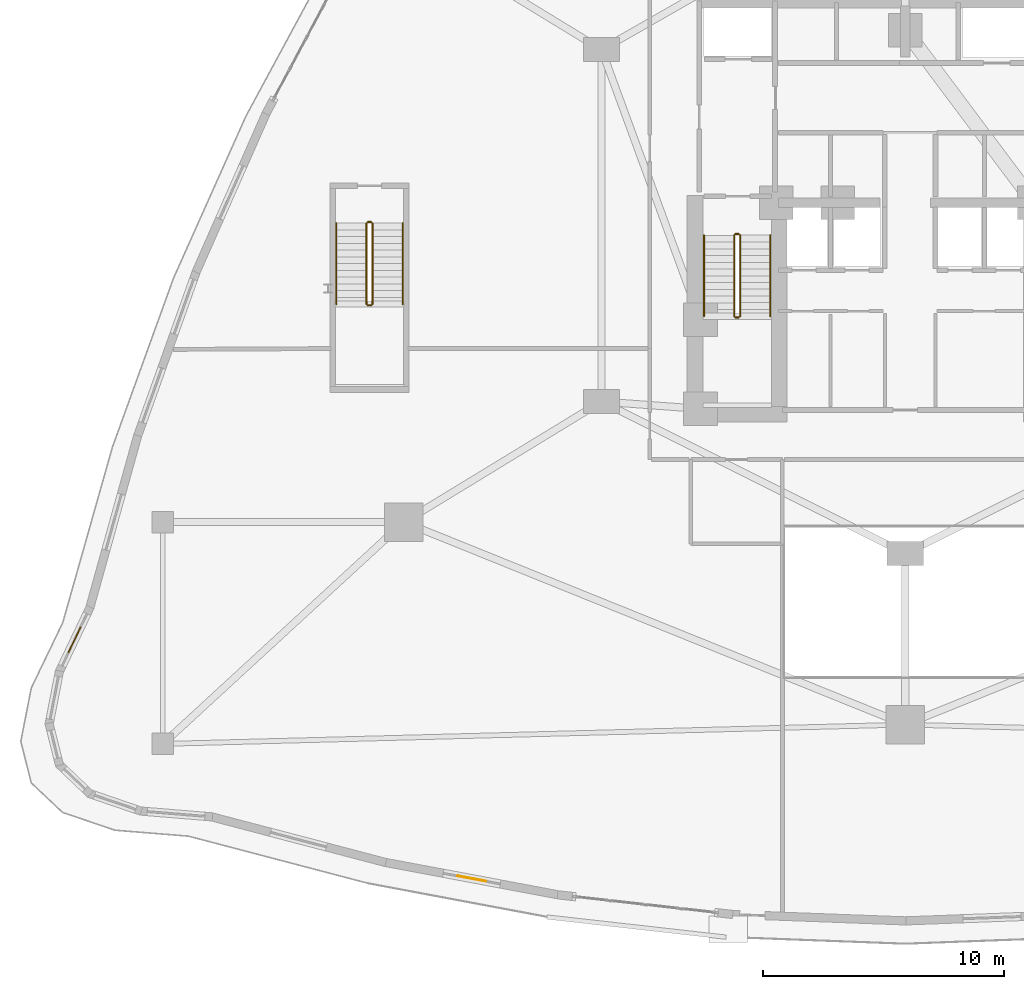
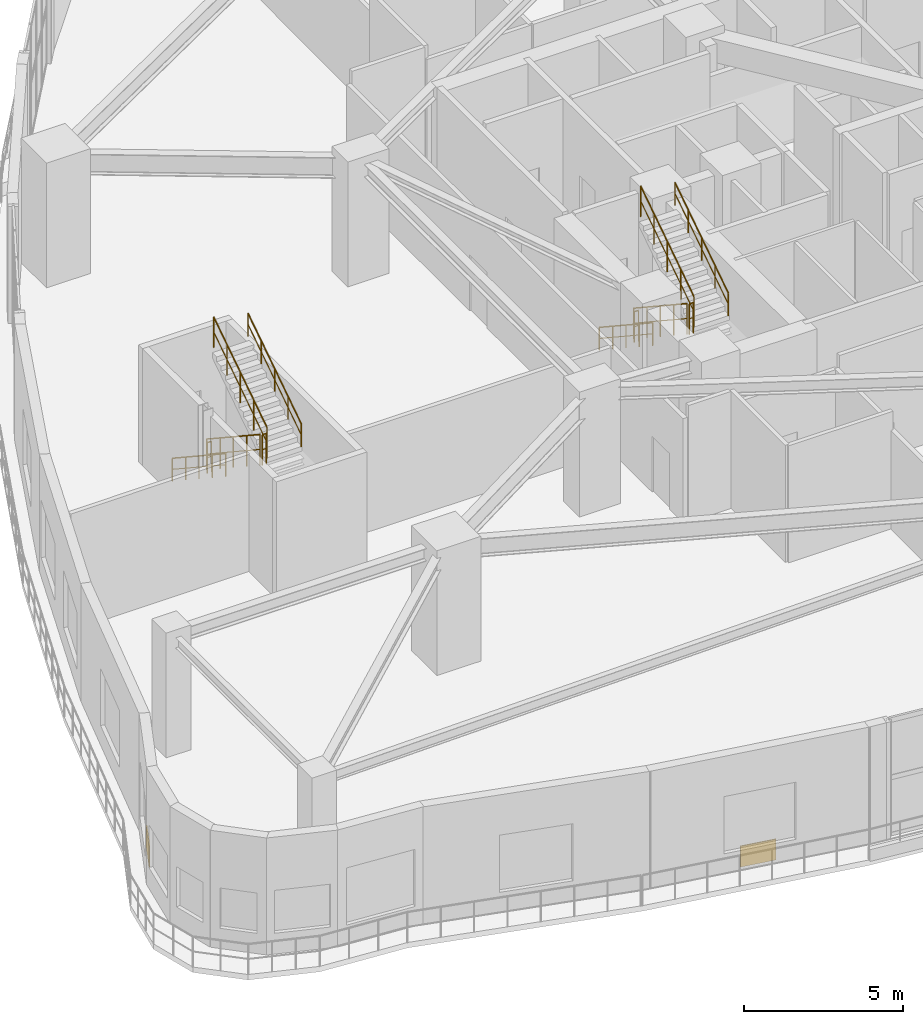
# One storey, part 20 of 25: 12 railings, 2 coverings.
"""IFC4 building model written with IfcOpenShell, lengths in metres."""

from ifc_helpers import new_model, si_unit, direction, frame, origin, origin_2d, place, context, subcontext, project, spatial, rectangle, circle, extrude, material, layer, layer_set, type_object, element, save


model = new_model("IFC4")

# Units and contexts
model_context = context("Model", 3, precision=1e-05, world=origin(), true_north=direction((0.0, 1.0)))
body_context = subcontext(model_context, "Body", "Model", "MODEL_VIEW")
ifc_project = project(units=[si_unit("LENGTHUNIT", "METRE"), si_unit("AREAUNIT", "SQUARE_METRE"), si_unit("VOLUMEUNIT", "CUBIC_METRE"), si_unit("PLANEANGLEUNIT", "RADIAN"), si_unit("MASSUNIT", "GRAM", prefix="KILO")], contexts=[model_context])

# Site, building, storey
site_placement = place(None, origin())
site = spatial("IfcSite", under=ifc_project, at=site_placement, CompositionType="ELEMENT")
building_placement = place(site_placement, origin())
building = spatial("IfcBuilding", under=site, at=building_placement, Name="Miruveldt Soraemaru", CompositionType="ELEMENT")
storey_placement = place(building_placement, frame((0.0, 0.0, 4.800048828125)))
storey = spatial("IfcBuildingStorey", under=building, at=storey_placement, Name="L02", CompositionType="ELEMENT", Elevation=4.800048828125)

# Coverings
ifc_material_1 = material(Name="Precast concrete C45/55 (45 MPa)", Category="concrete")
ifc_layer = layer(ifc_material_1, 0.0400390625, Name="Precast concrete C45/55 (45 MPa)", Category="concrete")
ifc_layer_set = layer_set([ifc_layer], Name="Precast concrete C45/55 (45 MPa)")
covering_type = type_object("IfcCoveringType", Name="COV-CLAD-GRAN", PredefinedType="CLADDING", material=ifc_layer_set)
covering_1_placement = place(storey_placement, frame((9.53857421875, 25.918212890625, 0.0), z_axis=(0.0, 0.0, 1.0), x_axis=(-0.430637117291, -0.902525164863, 0.0)))
element("IfcCovering", 1, at=covering_1_placement, inside=storey, type_object=covering_type, Name="L02 Reconstituted Granite Base Cladding 15", PredefinedType="CLADDING", context=body_context, shape_type="SweptSolid", body=[
    extrude(rectangle(XDim=1.174072265625, YDim=0.0400390625, at=origin_2d()), origin(), (0.0, 0.0, 1.0), 0.800048828125),
])
covering_2_placement = place(storey_placement, frame((26.015869140625, 16.01171875, 0.0), z_axis=(0.0, 0.0, 1.0), x_axis=(0.982871078132, -0.184294448562, 0.0)))
element("IfcCovering", 2, at=covering_2_placement, inside=storey, type_object=covering_type, Name="L02 Reconstituted Granite Base Cladding 22", PredefinedType="CLADDING", context=body_context, shape_type="SweptSolid", body=[
    extrude(rectangle(XDim=1.199951171875, YDim=0.0400390625, at=origin_2d()), origin(), (0.0, 0.0, 1.0), 0.800048828125),
])

# Railings
ifc_material_2 = material(Name="Steel S355 (355 MPa)", Category="steel")
railing_type_1 = type_object("IfcRailingType", Name="RAIL-HR-900", PredefinedType="HANDRAIL", material=ifc_material_2)
railing_1_placement = place(storey_placement, frame((35.64990234375, 42.699951171875, 0.1845703125)))
element("IfcRailing", 3, at=railing_1_placement, inside=storey, type_object=railing_type_1, Name="L02 ST-1 stair handrail 1", PredefinedType="HANDRAIL", context=body_context, shape_type="SweptSolid", body=[
    extrude(circle(Radius=0.02392578125, at=origin_2d()), frame((0.0, 0.0, 0.8759765625), z_axis=(0.0, -0.834858096282, 0.550465220583), x_axis=(1.0, 0.0, 0.0)), (0.0, 0.0, 1.0), 4.0244140625),
    extrude(circle(Radius=0.01611328125, at=origin_2d()), frame((0.0, 0.0, 0.449951171875), z_axis=(0.0, -0.834858096282, 0.550465220583), x_axis=(1.0, 0.0, 0.0)), (0.0, 0.0, 1.0), 4.0244140625),
    extrude(circle(Radius=0.02099609375, at=origin_2d()), origin(), (0.0, 0.0, 1.0), 0.851806640625),
    extrude(circle(Radius=0.02099609375, at=origin_2d()), frame((0.0, -0.83984375, 0.5537109375)), (0.0, 0.0, 1.0), 0.851806640625),
    extrude(circle(Radius=0.02099609375, at=origin_2d()), frame((0.0, -1.679931640625, 1.107666015625)), (0.0, 0.0, 1.0), 0.851806640625),
    extrude(circle(Radius=0.02099609375, at=origin_2d()), frame((0.0, -2.52001953125, 1.66162109375)), (0.0, 0.0, 1.0), 0.851806640625),
    extrude(circle(Radius=0.02099609375, at=origin_2d()), frame((0.0, -3.35986328125, 2.21533203125)), (0.0, 0.0, 1.0), 0.851806640625),
])
railing_2_placement = place(storey_placement, frame((38.39990234375, 39.340087890625, 2.58447265625)))
element("IfcRailing", 4, at=railing_2_placement, inside=storey, type_object=railing_type_1, Name="L02 ST-1 stair handrail 2", PredefinedType="HANDRAIL", context=body_context, shape_type="SweptSolid", body=[
    extrude(circle(Radius=0.02392578125, at=origin_2d()), frame((0.0, 0.0, 0.8759765625), z_axis=(0.0, 0.83483021737, 0.550507500554), x_axis=(-1.0, 0.0, 0.0)), (0.0, 0.0, 1.0), 4.024658203125),
    extrude(circle(Radius=0.01611328125, at=origin_2d()), frame((0.0, 0.0, 0.449951171875), z_axis=(0.0, 0.83483021737, 0.550507500554), x_axis=(-1.0, 0.0, 0.0)), (0.0, 0.0, 1.0), 4.024658203125),
    extrude(circle(Radius=0.02099609375, at=origin_2d()), origin(), (0.0, 0.0, 1.0), 0.851806640625),
    extrude(circle(Radius=0.02099609375, at=origin_2d()), frame((0.0, 0.83984375, 0.553955078125)), (0.0, 0.0, 1.0), 0.851806640625),
    extrude(circle(Radius=0.02099609375, at=origin_2d()), frame((0.0, 1.679931640625, 1.10791015625)), (0.0, 0.0, 1.0), 0.851806640625),
    extrude(circle(Radius=0.02099609375, at=origin_2d()), frame((0.0, 2.52001953125, 1.66162109375)), (0.0, 0.0, 1.0), 0.851806640625),
    extrude(circle(Radius=0.02099609375, at=origin_2d()), frame((0.0, 3.35986328125, 2.215576171875)), (0.0, 0.0, 1.0), 0.851806640625),
])
railing_3_placement = place(storey_placement, frame((20.39990234375, 43.199951171875, 0.1845703125)))
element("IfcRailing", 5, at=railing_3_placement, inside=storey, type_object=railing_type_1, Name="L02 ST-3 stair handrail 1", PredefinedType="HANDRAIL", context=body_context, shape_type="SweptSolid", body=[
    extrude(circle(Radius=0.02392578125, at=origin_2d()), frame((0.0, 0.0, 0.8759765625), z_axis=(0.0, -0.834858096282, 0.550465220583), x_axis=(1.0, 0.0, 0.0)), (0.0, 0.0, 1.0), 4.0244140625),
    extrude(circle(Radius=0.01611328125, at=origin_2d()), frame((0.0, 0.0, 0.449951171875), z_axis=(0.0, -0.834858096282, 0.550465220583), x_axis=(1.0, 0.0, 0.0)), (0.0, 0.0, 1.0), 4.0244140625),
    extrude(circle(Radius=0.02099609375, at=origin_2d()), origin(), (0.0, 0.0, 1.0), 0.851806640625),
    extrude(circle(Radius=0.02099609375, at=origin_2d()), frame((0.0, -0.83984375, 0.5537109375)), (0.0, 0.0, 1.0), 0.851806640625),
    extrude(circle(Radius=0.02099609375, at=origin_2d()), frame((0.0, -1.679931640625, 1.107666015625)), (0.0, 0.0, 1.0), 0.851806640625),
    extrude(circle(Radius=0.02099609375, at=origin_2d()), frame((0.0, -2.52001953125, 1.66162109375)), (0.0, 0.0, 1.0), 0.851806640625),
    extrude(circle(Radius=0.02099609375, at=origin_2d()), frame((0.0, -3.35986328125, 2.21533203125)), (0.0, 0.0, 1.0), 0.851806640625),
])
railing_4_placement = place(storey_placement, frame((23.14990234375, 39.840087890625, 2.58447265625)))
element("IfcRailing", 6, at=railing_4_placement, inside=storey, type_object=railing_type_1, Name="L02 ST-3 stair handrail 2", PredefinedType="HANDRAIL", context=body_context, shape_type="SweptSolid", body=[
    extrude(circle(Radius=0.02392578125, at=origin_2d()), frame((0.0, 0.0, 0.8759765625), z_axis=(0.0, 0.83483021737, 0.550507500554), x_axis=(-1.0, 0.0, 0.0)), (0.0, 0.0, 1.0), 4.024658203125),
    extrude(circle(Radius=0.01611328125, at=origin_2d()), frame((0.0, 0.0, 0.449951171875), z_axis=(0.0, 0.83483021737, 0.550507500554), x_axis=(-1.0, 0.0, 0.0)), (0.0, 0.0, 1.0), 4.024658203125),
    extrude(circle(Radius=0.02099609375, at=origin_2d()), origin(), (0.0, 0.0, 1.0), 0.851806640625),
    extrude(circle(Radius=0.02099609375, at=origin_2d()), frame((0.0, 0.83984375, 0.553955078125)), (0.0, 0.0, 1.0), 0.851806640625),
    extrude(circle(Radius=0.02099609375, at=origin_2d()), frame((0.0, 1.679931640625, 1.10791015625)), (0.0, 0.0, 1.0), 0.851806640625),
    extrude(circle(Radius=0.02099609375, at=origin_2d()), frame((0.0, 2.52001953125, 1.66162109375)), (0.0, 0.0, 1.0), 0.851806640625),
    extrude(circle(Radius=0.02099609375, at=origin_2d()), frame((0.0, 3.35986328125, 2.215576171875)), (0.0, 0.0, 1.0), 0.851806640625),
])
railing_type_2 = type_object("IfcRailingType", Name="RAIL-STGUARD-1200", PredefinedType="GUARDRAIL", material=ifc_material_2)
railing_5_placement = place(storey_placement, frame((36.89990234375, 42.699951171875, 0.1845703125)))
element("IfcRailing", 7, at=railing_5_placement, inside=storey, type_object=railing_type_2, Name="L02 ST-1 stair guard 1", PredefinedType="GUARDRAIL", context=body_context, shape_type="SweptSolid", body=[
    extrude(circle(Radius=0.02392578125, at=origin_2d()), frame((0.0, 0.0, 1.17578125), z_axis=(0.0, -0.834858096282, 0.550465220583), x_axis=(1.0, 0.0, 0.0)), (0.0, 0.0, 1.0), 4.0244140625),
    extrude(circle(Radius=0.01611328125, at=origin_2d()), frame((0.0, 0.0, 0.60009765625), z_axis=(0.0, -0.834858096282, 0.550465220583), x_axis=(1.0, 0.0, 0.0)), (0.0, 0.0, 1.0), 4.0244140625),
    extrude(circle(Radius=0.02099609375, at=origin_2d()), origin(), (0.0, 0.0, 1.0), 1.15185546875),
    extrude(circle(Radius=0.02099609375, at=origin_2d()), frame((0.0, -0.83984375, 0.5537109375)), (0.0, 0.0, 1.0), 1.15185546875),
    extrude(circle(Radius=0.02099609375, at=origin_2d()), frame((0.0, -1.679931640625, 1.107666015625)), (0.0, 0.0, 1.0), 1.15185546875),
    extrude(circle(Radius=0.02099609375, at=origin_2d()), frame((0.0, -2.52001953125, 1.66162109375)), (0.0, 0.0, 1.0), 1.15185546875),
    extrude(circle(Radius=0.02099609375, at=origin_2d()), frame((0.0, -3.35986328125, 2.21533203125)), (0.0, 0.0, 1.0), 1.15185546875),
])
railing_6_placement = place(storey_placement, frame((36.949951171875, 39.2900390625, 2.39990234375)))
element("IfcRailing", 8, at=railing_6_placement, inside=storey, type_object=railing_type_2, Name="L02 ST-1 stair guard 2", PredefinedType="GUARDRAIL", context=body_context, shape_type="SweptSolid", body=[
    extrude(circle(Radius=0.02392578125, at=origin_2d()), frame((0.0, 0.0, 1.17578125), z_axis=(1.0, 0.0, 0.0), x_axis=(0.0, 1.0, 0.0)), (0.0, 0.0, 1.0), 0.150146484375),
    extrude(circle(Radius=0.01611328125, at=origin_2d()), frame((0.0, 0.0, 0.60009765625), z_axis=(1.0, 0.0, 0.0), x_axis=(0.0, 1.0, 0.0)), (0.0, 0.0, 1.0), 0.150146484375),
    extrude(circle(Radius=0.02099609375, at=origin_2d()), origin(), (0.0, 0.0, 1.0), 1.15185546875),
    extrude(circle(Radius=0.02099609375, at=origin_2d()), frame((0.150146484375, 0.0, 0.0)), (0.0, 0.0, 1.0), 1.15185546875),
])
railing_7_placement = place(storey_placement, frame((37.14990234375, 39.340087890625, 2.58447265625)))
element("IfcRailing", 9, at=railing_7_placement, inside=storey, type_object=railing_type_2, Name="L02 ST-1 stair guard 3", PredefinedType="GUARDRAIL", context=body_context, shape_type="SweptSolid", body=[
    extrude(circle(Radius=0.02392578125, at=origin_2d()), frame((0.0, 0.0, 1.17578125), z_axis=(0.0, 0.83483021737, 0.550507500554), x_axis=(-1.0, 0.0, 0.0)), (0.0, 0.0, 1.0), 4.024658203125),
    extrude(circle(Radius=0.01611328125, at=origin_2d()), frame((0.0, 0.0, 0.60009765625), z_axis=(0.0, 0.83483021737, 0.550507500554), x_axis=(-1.0, 0.0, 0.0)), (0.0, 0.0, 1.0), 4.024658203125),
    extrude(circle(Radius=0.02099609375, at=origin_2d()), origin(), (0.0, 0.0, 1.0), 1.15185546875),
    extrude(circle(Radius=0.02099609375, at=origin_2d()), frame((0.0, 0.83984375, 0.553955078125)), (0.0, 0.0, 1.0), 1.15185546875),
    extrude(circle(Radius=0.02099609375, at=origin_2d()), frame((0.0, 1.679931640625, 1.10791015625)), (0.0, 0.0, 1.0), 1.15185546875),
    extrude(circle(Radius=0.02099609375, at=origin_2d()), frame((0.0, 2.52001953125, 1.66162109375)), (0.0, 0.0, 1.0), 1.15185546875),
    extrude(circle(Radius=0.02099609375, at=origin_2d()), frame((0.0, 3.35986328125, 2.215576171875)), (0.0, 0.0, 1.0), 1.15185546875),
])
railing_8_placement = place(storey_placement, frame((36.949951171875, 42.75, 0.0)))
element("IfcRailing", 10, at=railing_8_placement, inside=storey, type_object=railing_type_2, Name="L02 ST-1 stair guard 4", PredefinedType="GUARDRAIL", context=body_context, shape_type="SweptSolid", body=[
    extrude(circle(Radius=0.02392578125, at=origin_2d()), frame((0.0, 0.0, 1.17578125), z_axis=(1.0, 0.0, 0.0), x_axis=(0.0, 1.0, 0.0)), (0.0, 0.0, 1.0), 0.150146484375),
    extrude(circle(Radius=0.01611328125, at=origin_2d()), frame((0.0, 0.0, 0.60009765625), z_axis=(1.0, 0.0, 0.0), x_axis=(0.0, 1.0, 0.0)), (0.0, 0.0, 1.0), 0.150146484375),
    extrude(circle(Radius=0.02099609375, at=origin_2d()), origin(), (0.0, 0.0, 1.0), 1.15185546875),
    extrude(circle(Radius=0.02099609375, at=origin_2d()), frame((0.150146484375, 0.0, 0.0)), (0.0, 0.0, 1.0), 1.15185546875),
])
railing_9_placement = place(storey_placement, frame((21.64990234375, 43.199951171875, 0.1845703125)))
element("IfcRailing", 11, at=railing_9_placement, inside=storey, type_object=railing_type_2, Name="L02 ST-3 stair guard 1", PredefinedType="GUARDRAIL", context=body_context, shape_type="SweptSolid", body=[
    extrude(circle(Radius=0.02392578125, at=origin_2d()), frame((0.0, 0.0, 1.17578125), z_axis=(0.0, -0.834858096282, 0.550465220583), x_axis=(1.0, 0.0, 0.0)), (0.0, 0.0, 1.0), 4.0244140625),
    extrude(circle(Radius=0.01611328125, at=origin_2d()), frame((0.0, 0.0, 0.60009765625), z_axis=(0.0, -0.834858096282, 0.550465220583), x_axis=(1.0, 0.0, 0.0)), (0.0, 0.0, 1.0), 4.0244140625),
    extrude(circle(Radius=0.02099609375, at=origin_2d()), origin(), (0.0, 0.0, 1.0), 1.15185546875),
    extrude(circle(Radius=0.02099609375, at=origin_2d()), frame((0.0, -0.83984375, 0.5537109375)), (0.0, 0.0, 1.0), 1.15185546875),
    extrude(circle(Radius=0.02099609375, at=origin_2d()), frame((0.0, -1.679931640625, 1.107666015625)), (0.0, 0.0, 1.0), 1.15185546875),
    extrude(circle(Radius=0.02099609375, at=origin_2d()), frame((0.0, -2.52001953125, 1.66162109375)), (0.0, 0.0, 1.0), 1.15185546875),
    extrude(circle(Radius=0.02099609375, at=origin_2d()), frame((0.0, -3.35986328125, 2.21533203125)), (0.0, 0.0, 1.0), 1.15185546875),
])
railing_10_placement = place(storey_placement, frame((21.699951171875, 39.7900390625, 2.39990234375)))
element("IfcRailing", 12, at=railing_10_placement, inside=storey, type_object=railing_type_2, Name="L02 ST-3 stair guard 2", PredefinedType="GUARDRAIL", context=body_context, shape_type="SweptSolid", body=[
    extrude(circle(Radius=0.02392578125, at=origin_2d()), frame((0.0, 0.0, 1.17578125), z_axis=(1.0, 0.0, 0.0), x_axis=(0.0, 1.0, 0.0)), (0.0, 0.0, 1.0), 0.150146484375),
    extrude(circle(Radius=0.01611328125, at=origin_2d()), frame((0.0, 0.0, 0.60009765625), z_axis=(1.0, 0.0, 0.0), x_axis=(0.0, 1.0, 0.0)), (0.0, 0.0, 1.0), 0.150146484375),
    extrude(circle(Radius=0.02099609375, at=origin_2d()), origin(), (0.0, 0.0, 1.0), 1.15185546875),
    extrude(circle(Radius=0.02099609375, at=origin_2d()), frame((0.150146484375, 0.0, 0.0)), (0.0, 0.0, 1.0), 1.15185546875),
])
railing_11_placement = place(storey_placement, frame((21.89990234375, 39.840087890625, 2.58447265625)))
element("IfcRailing", 13, at=railing_11_placement, inside=storey, type_object=railing_type_2, Name="L02 ST-3 stair guard 3", PredefinedType="GUARDRAIL", context=body_context, shape_type="SweptSolid", body=[
    extrude(circle(Radius=0.02392578125, at=origin_2d()), frame((0.0, 0.0, 1.17578125), z_axis=(0.0, 0.83483021737, 0.550507500554), x_axis=(-1.0, 0.0, 0.0)), (0.0, 0.0, 1.0), 4.024658203125),
    extrude(circle(Radius=0.01611328125, at=origin_2d()), frame((0.0, 0.0, 0.60009765625), z_axis=(0.0, 0.83483021737, 0.550507500554), x_axis=(-1.0, 0.0, 0.0)), (0.0, 0.0, 1.0), 4.024658203125),
    extrude(circle(Radius=0.02099609375, at=origin_2d()), origin(), (0.0, 0.0, 1.0), 1.15185546875),
    extrude(circle(Radius=0.02099609375, at=origin_2d()), frame((0.0, 0.83984375, 0.553955078125)), (0.0, 0.0, 1.0), 1.15185546875),
    extrude(circle(Radius=0.02099609375, at=origin_2d()), frame((0.0, 1.679931640625, 1.10791015625)), (0.0, 0.0, 1.0), 1.15185546875),
    extrude(circle(Radius=0.02099609375, at=origin_2d()), frame((0.0, 2.52001953125, 1.66162109375)), (0.0, 0.0, 1.0), 1.15185546875),
    extrude(circle(Radius=0.02099609375, at=origin_2d()), frame((0.0, 3.35986328125, 2.215576171875)), (0.0, 0.0, 1.0), 1.15185546875),
])
railing_12_placement = place(storey_placement, frame((21.699951171875, 43.25, 0.0)))
element("IfcRailing", 14, at=railing_12_placement, inside=storey, type_object=railing_type_2, Name="L02 ST-3 stair guard 4", PredefinedType="GUARDRAIL", context=body_context, shape_type="SweptSolid", body=[
    extrude(circle(Radius=0.02392578125, at=origin_2d()), frame((0.0, 0.0, 1.17578125), z_axis=(1.0, 0.0, 0.0), x_axis=(0.0, 1.0, 0.0)), (0.0, 0.0, 1.0), 0.150146484375),
    extrude(circle(Radius=0.01611328125, at=origin_2d()), frame((0.0, 0.0, 0.60009765625), z_axis=(1.0, 0.0, 0.0), x_axis=(0.0, 1.0, 0.0)), (0.0, 0.0, 1.0), 0.150146484375),
    extrude(circle(Radius=0.02099609375, at=origin_2d()), origin(), (0.0, 0.0, 1.0), 1.15185546875),
    extrude(circle(Radius=0.02099609375, at=origin_2d()), frame((0.150146484375, 0.0, 0.0)), (0.0, 0.0, 1.0), 1.15185546875),
])

save(model, "model.ifc")
